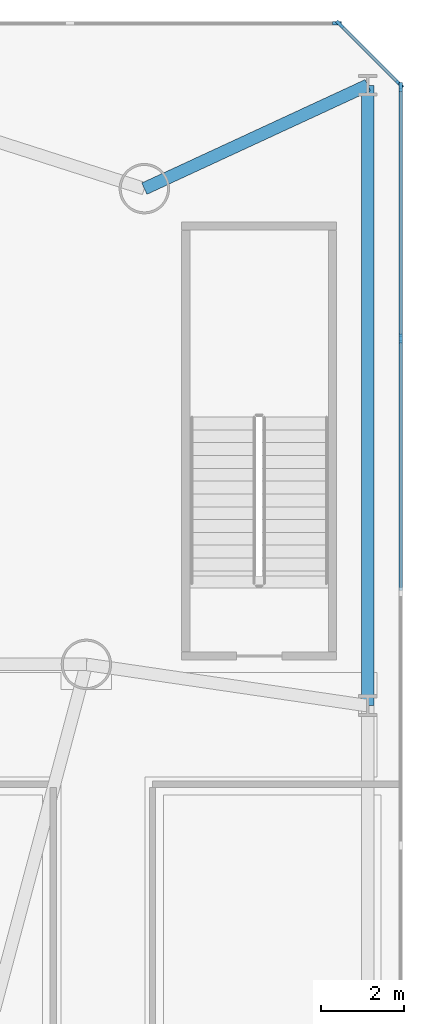
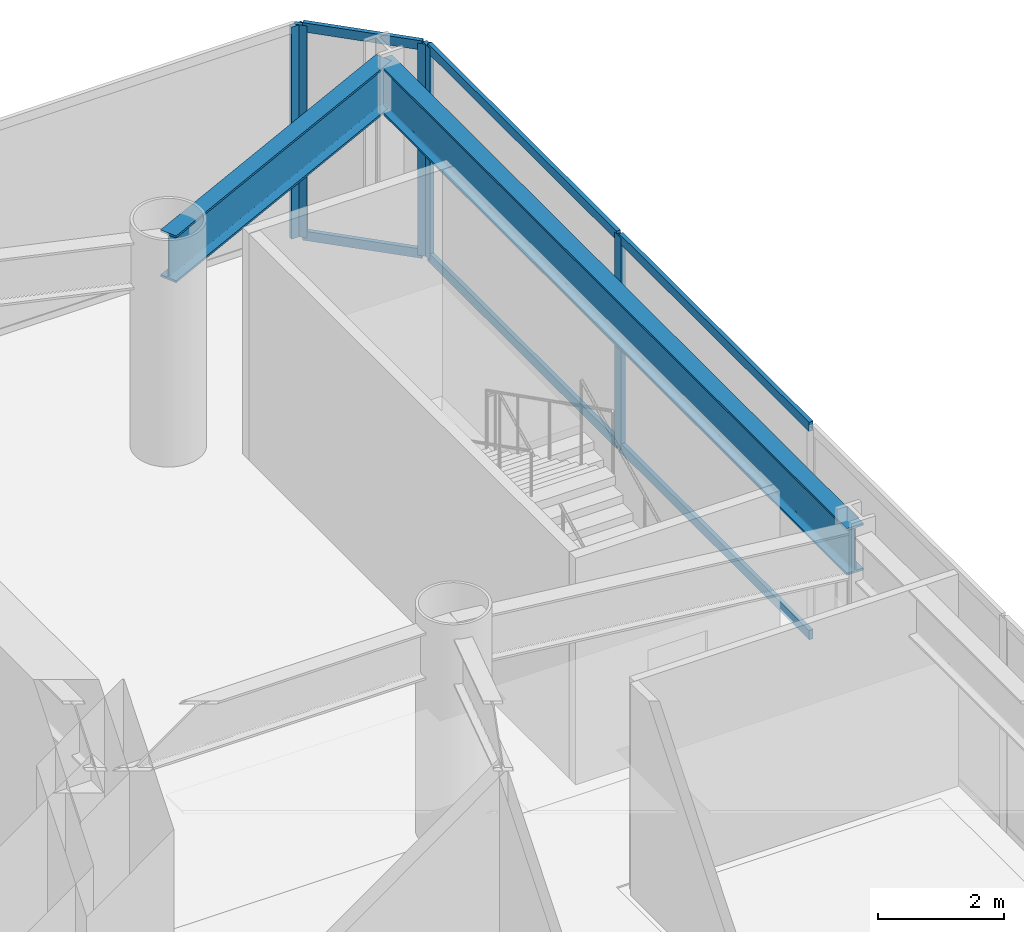
# One storey, part 11 of 24: 11 members, 2 beams, 3 elements without a shape of their own.
"""IFC4 building model written with IfcOpenShell, lengths in metres."""

from ifc_helpers import new_model, si_unit, direction, frame, origin, origin_2d, place, context, subcontext, project, spatial, rectangle, i_section, extrude, source, transform, mapped, material, layer, layer_set, material_profile, profile_set, type_object, element, aggregate, save


model = new_model("IFC4")

# Units and contexts
model_context = context("Model", 3, precision=1e-05, world=origin(), true_north=direction((0.0, 1.0)))
body_context = subcontext(model_context, "Body", "Model", "MODEL_VIEW")
ifc_project = project(units=[si_unit("LENGTHUNIT", "METRE"), si_unit("AREAUNIT", "SQUARE_METRE"), si_unit("VOLUMEUNIT", "CUBIC_METRE"), si_unit("PLANEANGLEUNIT", "RADIAN"), si_unit("MASSUNIT", "GRAM", prefix="KILO")], contexts=[model_context])

# Site, building, storey
site_placement = place(None, origin())
site = spatial("IfcSite", under=ifc_project, at=site_placement, CompositionType="ELEMENT")
building_placement = place(site_placement, origin())
building = spatial("IfcBuilding", under=site, at=building_placement, Name="Vaeldorn Concourse Tower", CompositionType="ELEMENT")
storey_placement = place(building_placement, frame((0.0, 0.0, 10.0)))
storey = spatial("IfcBuildingStorey", under=building, at=storey_placement, Name="L02", CompositionType="ELEMENT", Elevation=10.0)

# Beams
ifc_material_1 = material(Name="Steel S355", Category="steel")
ifc_material_profile_1 = material_profile(ifc_material_1, i_section(OverallWidth=0.302001953125, OverallDepth=0.909912109375, WebThickness=0.02099609375, FlangeThickness=0.0400390625, FilletRadius=0.030029296875, at=origin_2d()), Name="HEM 900")
ifc_profile_set_1 = profile_set([ifc_material_profile_1], Name="Steel S355")
beam_type = type_object("IfcBeamType", Name="BM-PG-HEM900", PredefinedType="BEAM", material=ifc_profile_set_1)
shared_shape_1 = source(origin(), body_context, "Body", "SweptSolid", [
    extrude(i_section(OverallWidth=0.302001953125, OverallDepth=0.909912109375, WebThickness=0.02099609375, FlangeThickness=0.0400390625, FilletRadius=0.030029296875, at=origin_2d()), origin(), (0.0, 0.0, 1.0), 15.0),
])
beam_1_placement = place(storey_placement, frame((67.199951171875, 35.5, 3.6650390625), z_axis=(0.0, 1.0, 0.0), x_axis=(-1.0, 0.0, 0.0)))
element("IfcBeam", 1, at=beam_1_placement, inside=storey, type_object=beam_type, Name="Beam BM-L02-C-PE3-C-PE4", PredefinedType="BEAM", context=body_context, shape_type="MappedRepresentation", body=[
    mapped(shared_shape_1, transform((0.0, 0.0, 0.0), scale=1.0)),
])
shared_shape_2 = source(origin(), body_context, "Body", "SweptSolid", [
    extrude(i_section(OverallWidth=0.302001953125, OverallDepth=0.909912109375, WebThickness=0.02099609375, FlangeThickness=0.0400390625, FilletRadius=0.030029296875, at=origin_2d()), origin(), (0.0, 0.0, 1.0), 5.950439453125),
])
beam_2_placement = place(storey_placement, frame((61.800048828125, 48.0, 3.6650390625), z_axis=(0.907464010437, 0.420129824888, 0.0), x_axis=(-0.420129824888, 0.907464010437, 0.0)))
element("IfcBeam", 2, at=beam_2_placement, inside=storey, type_object=beam_type, Name="Beam BM-L02-C-NE1-C-PE4", PredefinedType="BEAM", context=body_context, shape_type="MappedRepresentation", body=[
    mapped(shared_shape_2, transform((0.0, 0.0, 0.0), scale=1.0)),
])

# Curtain wall, members
ifc_material_2 = material(Name="Anodised Bronze Aluminium", Category="aluminium")
ifc_layer = layer(ifc_material_2, 0.239990234375)
ifc_layer_set = layer_set([ifc_layer], Name="Anodised Bronze Aluminium")
curtain_wall_type = type_object("IfcCurtainWallType", Name="CW-SYS-04", PredefinedType="NOTDEFINED", material=ifc_layer_set)
curtain_wall_1_placement = place(storey_placement, origin())
curtain_wall_1 = element("IfcCurtainWall", 3, at=curtain_wall_1_placement, inside=storey, type_object=curtain_wall_type, Name="Unitised Curtain Wall CW-L02-E04-1", PredefinedType="NOTDEFINED")
ifc_material_profile_2 = material_profile(ifc_material_2, rectangle(XDim=0.074951171875, YDim=0.179931640625, at=origin_2d()), Name="CWT 75x180")
ifc_profile_set_2 = profile_set([ifc_material_profile_2], Name="Anodised Bronze Aluminium")
member_type_1 = type_object("IfcMemberType", Name="CWT-BRONZE-180", PredefinedType="USERDEFINED", material=ifc_profile_set_2)
shared_shape_3 = source(origin(), body_context, "Body", "SweptSolid", [
    extrude(rectangle(XDim=0.074951171875, YDim=0.179931640625, at=origin_2d()), origin(), (0.0, 0.0, 1.0), 1.971435546875),
])
member_1_placement = place(storey_placement, frame((67.947021484375, 50.552978515625, 0.03759765625), z_axis=(-0.707106781187, 0.707106781187, 0.0), x_axis=(-0.707106781187, -0.707106781187, 0.0)))
member_1 = element("IfcMember", 4, at=member_1_placement, type_object=member_type_1, Name="CW-04 transom 1.1", ObjectType="TRANSOM", PredefinedType="USERDEFINED", context=body_context, shape_type="MappedRepresentation", body=[
    mapped(shared_shape_3, transform((0.0, 0.0, 0.0), scale=1.0)),
])
member_2_placement = place(storey_placement, frame((67.947021484375, 50.552978515625, 4.08251953125), z_axis=(-0.707106781187, 0.707106781187, 0.0), x_axis=(-0.707106781187, -0.707106781187, 0.0)))
member_2 = element("IfcMember", 5, at=member_2_placement, type_object=member_type_1, Name="CW-04 transom 1.2", ObjectType="TRANSOM", PredefinedType="USERDEFINED", context=body_context, shape_type="MappedRepresentation", body=[
    mapped(shared_shape_3, transform((0.0, 0.0, 0.0), scale=1.0)),
])

curtain_wall_2_placement = place(storey_placement, origin())
curtain_wall_2 = element("IfcCurtainWall", 6, at=curtain_wall_2_placement, inside=storey, type_object=curtain_wall_type, Name="Unitised Curtain Wall CW-L02-E03-1", PredefinedType="NOTDEFINED")
shared_shape_4 = source(origin(), body_context, "Body", "SweptSolid", [
    extrude(rectangle(XDim=0.074951171875, YDim=0.179931640625, at=origin_2d()), origin(), (0.0, 0.0, 1.0), 6.012451171875),
])
member_3_placement = place(storey_placement, frame((68.0, 44.41259765625, 0.03759765625), z_axis=(0.0, 1.0, 0.0), x_axis=(-1.0, 0.0, 0.0)))
member_3 = element("IfcMember", 7, at=member_3_placement, type_object=member_type_1, Name="CW-04 transom 8.1", ObjectType="TRANSOM", PredefinedType="USERDEFINED", context=body_context, shape_type="MappedRepresentation", body=[
    mapped(shared_shape_4, transform((0.0, 0.0, 0.0), scale=1.0)),
])
member_4_placement = place(storey_placement, frame((68.0, 44.41259765625, 4.08251953125), z_axis=(0.0, 1.0, 0.0), x_axis=(-1.0, 0.0, 0.0)))
member_4 = element("IfcMember", 8, at=member_4_placement, type_object=member_type_1, Name="CW-04 transom 8.2", ObjectType="TRANSOM", PredefinedType="USERDEFINED", context=body_context, shape_type="MappedRepresentation", body=[
    mapped(shared_shape_4, transform((0.0, 0.0, 0.0), scale=1.0)),
])
shared_shape_5 = source(origin(), body_context, "Body", "SweptSolid", [
    extrude(rectangle(XDim=0.074951171875, YDim=0.179931640625, at=origin_2d()), origin(), (0.0, 0.0, 1.0), 6.0498046875),
])
member_5_placement = place(storey_placement, frame((68.0, 38.28759765625, 0.03759765625), z_axis=(0.0, 1.0, 0.0), x_axis=(-1.0, 0.0, 0.0)))
member_5 = element("IfcMember", 9, at=member_5_placement, type_object=member_type_1, Name="CW-04 transom 7.1", ObjectType="TRANSOM", PredefinedType="USERDEFINED", context=body_context, shape_type="MappedRepresentation", body=[
    mapped(shared_shape_5, transform((0.0, 0.0, 0.0), scale=1.0)),
])
member_6_placement = place(storey_placement, frame((68.0, 38.28759765625, 4.08251953125), z_axis=(0.0, 1.0, 0.0), x_axis=(-1.0, 0.0, 0.0)))
member_6 = element("IfcMember", 10, at=member_6_placement, type_object=member_type_1, Name="CW-04 transom 7.2", ObjectType="TRANSOM", PredefinedType="USERDEFINED", context=body_context, shape_type="MappedRepresentation", body=[
    mapped(shared_shape_5, transform((0.0, 0.0, 0.0), scale=1.0)),
])
ifc_material_profile_3 = material_profile(ifc_material_2, rectangle(XDim=0.074951171875, YDim=0.219970703125, at=origin_2d()), Name="CWM 75x220")
ifc_profile_set_3 = profile_set([ifc_material_profile_3], Name="Anodised Bronze Aluminium")
member_type_2 = type_object("IfcMemberType", Name="CWM-BRONZE-220", PredefinedType="MULLION", material=ifc_profile_set_3)
shared_shape_6 = source(origin(), body_context, "Body", "SweptSolid", [
    extrude(rectangle(XDim=0.074951171875, YDim=0.219970703125, at=origin_2d()), origin(), (0.0, 0.0, 1.0), 4.1201171875),
])
member_7_placement = place(storey_placement, frame((68.0, 44.375, 0.0), z_axis=(0.0, 0.0, 1.0), x_axis=(-1.0, 0.0, 0.0)))
member_7 = element("IfcMember", 11, at=member_7_placement, type_object=member_type_2, Name="CW-04 mullion 8", PredefinedType="MULLION", context=body_context, shape_type="MappedRepresentation", body=[
    mapped(shared_shape_6, transform((0.0, 0.0, 0.0), scale=1.0)),
])
member_8_placement = place(storey_placement, frame((68.0, 50.46240234375, 0.0), z_axis=(0.0, 0.0, 1.0), x_axis=(-1.0, 0.0, 0.0)))
member_8 = element("IfcMember", 12, at=member_8_placement, type_object=member_type_2, Name="CW-04 mullion 9", PredefinedType="MULLION", context=body_context, shape_type="MappedRepresentation", body=[
    mapped(shared_shape_6, transform((0.0, 0.0, 0.0), scale=1.0)),
])
aggregate(curtain_wall_2, [member_7, member_8, member_5, member_6, member_3, member_4])

# Member
member_9_placement = place(storey_placement, frame((67.973388671875, 50.526611328125, 0.0), z_axis=(0.0, 0.0, 1.0), x_axis=(-0.707106781187, -0.707106781187, 0.0)))
member_9 = element("IfcMember", 13, at=member_9_placement, type_object=member_type_2, Name="CW-04 mullion 1", PredefinedType="MULLION", context=body_context, shape_type="MappedRepresentation", body=[
    mapped(shared_shape_6, transform((0.0, 0.0, 0.0), scale=1.0)),
])

member_10_placement = place(storey_placement, frame((66.526611328125, 51.973388671875, 0.0), z_axis=(0.0, 0.0, 1.0), x_axis=(-0.707106781187, -0.707106781187, 0.0)))
member_10 = element("IfcMember", 14, at=member_10_placement, type_object=member_type_2, Name="CW-04 mullion 2", PredefinedType="MULLION", context=body_context, shape_type="MappedRepresentation", body=[
    mapped(shared_shape_6, transform((0.0, 0.0, 0.0), scale=1.0)),
])

aggregate(curtain_wall_1, [member_9, member_10, member_1, member_2])

# Curtain wall, member
curtain_wall_3_placement = place(storey_placement, origin())
curtain_wall_3 = element("IfcCurtainWall", 15, at=curtain_wall_3_placement, inside=storey, type_object=curtain_wall_type, Name="Unitised Curtain Wall CW-L02-E05-1", PredefinedType="NOTDEFINED")
member_11_placement = place(storey_placement, frame((66.46240234375, 52.0, 0.0), z_axis=(0.0, 0.0, 1.0), x_axis=(0.0, -1.0, 0.0)))
member_11 = element("IfcMember", 16, at=member_11_placement, type_object=member_type_2, Name="CW-04 mullion 1", PredefinedType="MULLION", context=body_context, shape_type="MappedRepresentation", body=[
    mapped(shared_shape_6, transform((0.0, 0.0, 0.0), scale=1.0)),
])
aggregate(curtain_wall_3, [member_11])

save(model, "model.ifc")
